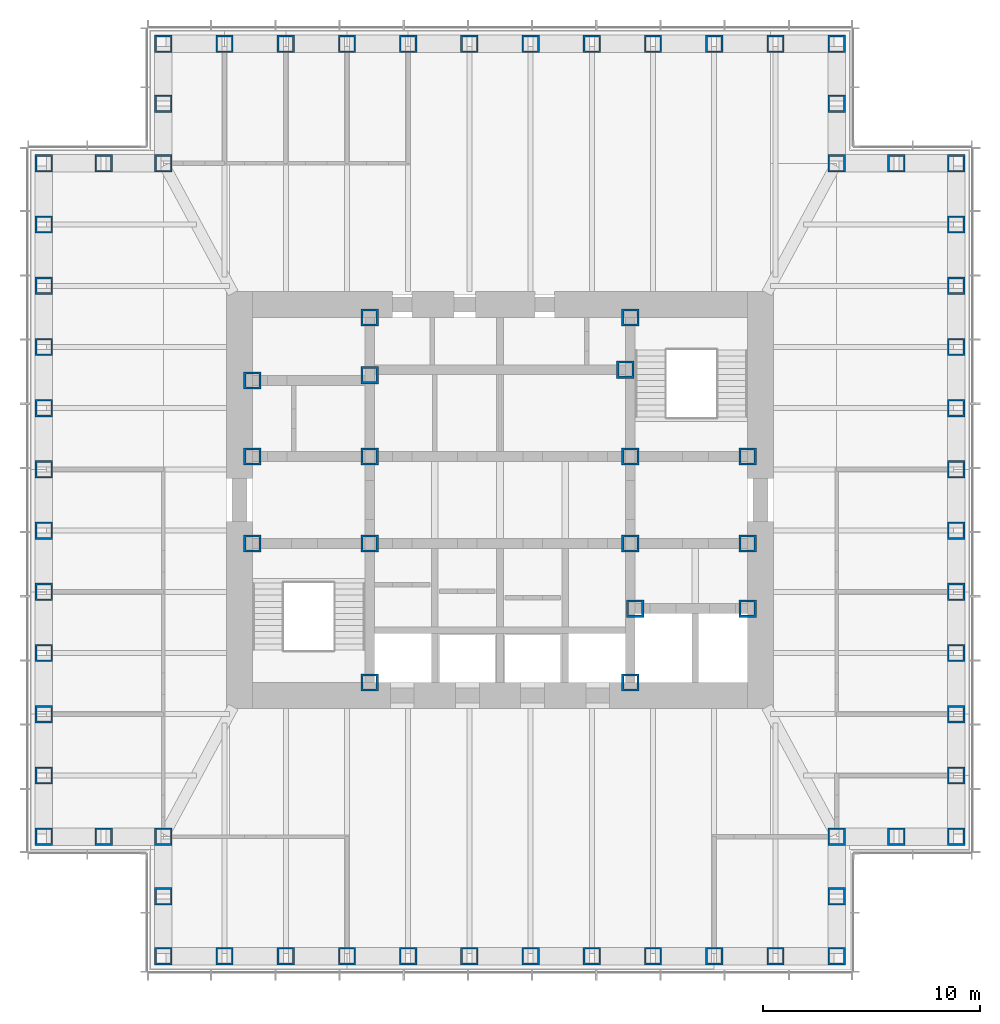
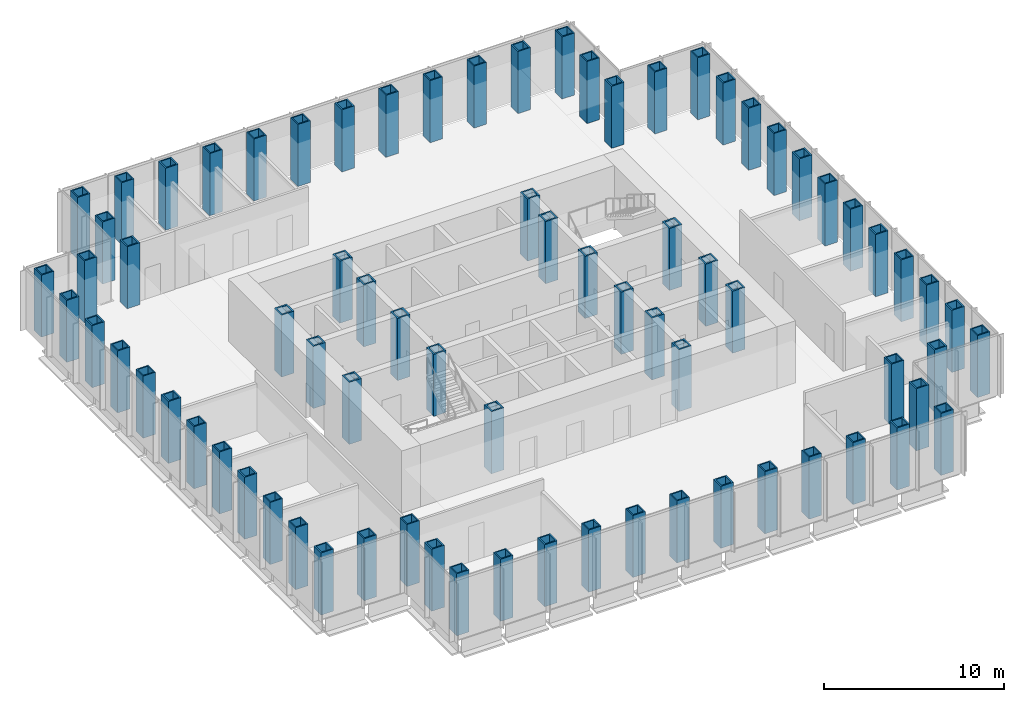
# One storey, part 1 of 16: 77 columns.
"""IFC4 building model written with IfcOpenShell, lengths in metres."""

from ifc_helpers import new_model, si_unit, direction, frame, origin, origin_2d, place, context, subcontext, project, spatial, hollow_rectangle, extrude, material, material_profile, profile_set, type_object, element, save


model = new_model("IFC4")

# Units and contexts
model_context = context("Model", 3, precision=1e-05, world=origin(), true_north=direction((0.0, 1.0)))
body_context = subcontext(model_context, "Body", "Model", "MODEL_VIEW")
ifc_project = project(units=[si_unit("LENGTHUNIT", "METRE"), si_unit("AREAUNIT", "SQUARE_METRE"), si_unit("VOLUMEUNIT", "CUBIC_METRE"), si_unit("PLANEANGLEUNIT", "RADIAN"), si_unit("MASSUNIT", "GRAM", prefix="KILO")], contexts=[model_context])

# Site, building, storey
site_placement = place(None, origin())
site = spatial("IfcSite", under=ifc_project, at=site_placement, CompositionType="ELEMENT")
building_placement = place(site_placement, origin())
building = spatial("IfcBuilding", under=site, at=building_placement, Name="Daluyong Arena Tower", CompositionType="ELEMENT")
storey_placement = place(building_placement, frame((0.0, 0.0, 240.10009765625)))
storey = spatial("IfcBuildingStorey", under=building, at=storey_placement, Name="L54", CompositionType="ELEMENT", Elevation=240.10009765625)

# Columns
ifc_material_1 = material(Name="Steel ASTM A572 Grade 50", Category="steel")
ifc_material_profile_1 = material_profile(ifc_material_1, hollow_rectangle(XDim=0.800048828125, YDim=0.800048828125, WallThickness=0.1, at=origin_2d()))
ifc_profile_set_1 = profile_set([ifc_material_profile_1], Name="Steel ASTM A572 Grade 50")
column_type_1 = type_object("IfcColumnType", Name="Core boundary column BX800X100", PredefinedType="COLUMN", material=ifc_profile_set_1)
for number, where, z_axis, x_axis, name in (
    (1, (44.60009765625, 78.0, 0.0), (0.0, 0.0, 1.0), (1.0, 0.0, 0.0), "core boundary column BC2"),
    (2, (44.60009765625, 82.0, 0.0), (0.0, 0.0, 1.0), (1.0, 0.0, 0.0), "core boundary column BC2"),
    (3, (44.60009765625, 85.5, 0.0), (0.0, 0.0, 1.0), (1.0, 0.0, 0.0), "core boundary column BC2"),
    (4, (50.0, 71.60009765625, 0.0), (0.0, 0.0, 1.0), (1.0, 0.0, 0.0), "core boundary column BC2"),
    (5, (50.0, 78.0, 0.0), (0.0, 0.0, 1.0), (1.0, 0.0, 0.0), "core boundary column BC2"),
    (6, (50.0, 82.0, 0.0), (0.0, 0.0, 1.0), (1.0, 0.0, 0.0), "core boundary column BC2"),
    (7, (50.0, 85.75, 0.0), (0.0, 0.0, 1.0), (1.0, 0.0, 0.0), "core boundary column BC2"),
    (8, (50.0, 88.39990234375, 0.0), (0.0, 0.0, 1.0), (1.0, 0.0, 0.0), "core boundary column BC2"),
    (9, (61.77490234375, 86.0, 0.0), (0.0, 0.0, 1.0), (1.0, 0.0, 0.0), "core boundary column BC2"),
    (10, (62.0, 71.60009765625, 0.0), (0.0, 0.0, 1.0), (1.0, 0.0, 0.0), "core boundary column BC2"),
    (11, (62.0, 78.0, 0.0), (0.0, 0.0, 1.0), (1.0, 0.0, 0.0), "core boundary column BC2"),
    (12, (62.0, 82.0, 0.0), (0.0, 0.0, 1.0), (1.0, 0.0, 0.0), "core boundary column BC2"),
    (13, (62.0, 88.39990234375, 0.0), (0.0, 0.0, 1.0), (1.0, 0.0, 0.0), "core boundary column BC2"),
    (14, (62.22509765625, 75.0, 0.0), (0.0, 0.0, 1.0), (1.0, 0.0, 0.0), "core boundary column BC2"),
    (15, (67.39990234375, 75.0, 0.0), (0.0, 0.0, 1.0), (1.0, 0.0, 0.0), "core boundary column BC2"),
    (16, (67.39990234375, 78.0, 0.0), (0.0, 0.0, 1.0), (1.0, 0.0, 0.0), "core boundary column BC2"),
    (17, (67.39990234375, 82.0, 0.0), (0.0, 0.0, 1.0), (1.0, 0.0, 0.0), "core boundary column BC2"),
):
    element("IfcColumn", number, at=place(storey_placement, frame(where, z_axis=z_axis, x_axis=x_axis)), inside=storey, type_object=column_type_1, Name=name, PredefinedType="COLUMN", context=body_context, shape_type="SweptSolid", body=[
        extrude(hollow_rectangle(XDim=0.800048828125, YDim=0.800048828125, WallThickness=0.1, at=origin_2d()), origin(), (0.0, 0.0, 1.0), 4.199951171875),
    ])
ifc_material_2 = material(Name="Steel ASTM A572 Grade 50", Category="steel")
ifc_material_profile_2 = material_profile(ifc_material_2, hollow_rectangle(XDim=0.800048828125, YDim=0.800048828125, WallThickness=0.08, at=origin_2d()))
ifc_profile_set_2 = profile_set([ifc_material_profile_2], Name="Steel ASTM A572 Grade 50")
column_type_2 = type_object("IfcColumnType", Name="Tube column BX800X80 BX800X80", PredefinedType="COLUMN", material=ifc_profile_set_2)
for number, where, z_axis, x_axis, name in (
    (18, (40.5, 59.0, 0.0), (0.0, 0.0, 1.0), (1.0, 0.0, 0.0), "tube column bx800x80 TC6"),
    (19, (43.318115234375, 59.0, 0.0), (0.0, 0.0, 1.0), (1.0, 0.0, 0.0), "tube column bx800x80 TC6"),
    (20, (46.136474609375, 59.0, 0.0), (0.0, 0.0, 1.0), (1.0, 0.0, 0.0), "tube column bx800x80 TC6"),
    (21, (48.95458984375, 59.0, 0.0), (0.0, 0.0, 1.0), (1.0, 0.0, 0.0), "tube column bx800x80 TC6"),
    (22, (51.772705078125, 59.0, 0.0), (0.0, 0.0, 1.0), (1.0, 0.0, 0.0), "tube column bx800x80 TC6"),
    (23, (54.5908203125, 59.0, 0.0), (0.0, 0.0, 1.0), (1.0, 0.0, 0.0), "tube column bx800x80 TC6"),
    (24, (57.4091796875, 59.0, 0.0), (0.0, 0.0, 1.0), (1.0, 0.0, 0.0), "tube column bx800x80 TC6"),
    (25, (60.227294921875, 59.0, 0.0), (0.0, 0.0, 1.0), (1.0, 0.0, 0.0), "tube column bx800x80 TC6"),
    (26, (63.04541015625, 59.0, 0.0), (0.0, 0.0, 1.0), (1.0, 0.0, 0.0), "tube column bx800x80 TC6"),
    (27, (65.863525390625, 59.0, 0.0), (0.0, 0.0, 1.0), (1.0, 0.0, 0.0), "tube column bx800x80 TC6"),
    (28, (68.681884765625, 59.0, 0.0), (0.0, 0.0, 1.0), (1.0, 0.0, 0.0), "tube column bx800x80 TC6"),
    (29, (71.5, 59.0, 0.0), (0.0, 0.0, 1.0), (0.0, 1.0, 0.0), "tube column bx800x80 TC6"),
    (30, (71.5, 61.75, 0.0), (0.0, 0.0, 1.0), (0.0, 1.0, 0.0), "tube column bx800x80 TC6"),
    (31, (71.5, 64.5, 0.0), (0.0, 0.0, 1.0), (1.0, 0.0, 0.0), "tube column bx800x80 TC6"),
    (32, (74.25, 64.5, 0.0), (0.0, 0.0, 1.0), (1.0, 0.0, 0.0), "tube column bx800x80 TC6"),
    (33, (77.0, 64.5, 0.0), (0.0, 0.0, 1.0), (0.0, 1.0, 0.0), "tube column bx800x80 TC6"),
    (34, (77.0, 67.318115234375, 0.0), (0.0, 0.0, 1.0), (0.0, 1.0, 0.0), "tube column bx800x80 TC6"),
    (35, (77.0, 70.136474609375, 0.0), (0.0, 0.0, 1.0), (0.0, 1.0, 0.0), "tube column bx800x80 TC6"),
    (36, (77.0, 72.95458984375, 0.0), (0.0, 0.0, 1.0), (0.0, 1.0, 0.0), "tube column bx800x80 TC6"),
    (37, (77.0, 75.772705078125, 0.0), (0.0, 0.0, 1.0), (0.0, 1.0, 0.0), "tube column bx800x80 TC6"),
    (38, (77.0, 78.5908203125, 0.0), (0.0, 0.0, 1.0), (0.0, 1.0, 0.0), "tube column bx800x80 TC6"),
    (39, (77.0, 81.4091796875, 0.0), (0.0, 0.0, 1.0), (0.0, 1.0, 0.0), "tube column bx800x80 TC6"),
    (40, (77.0, 84.227294921875, 0.0), (0.0, 0.0, 1.0), (0.0, 1.0, 0.0), "tube column bx800x80 TC6"),
    (41, (77.0, 87.04541015625, 0.0), (0.0, 0.0, 1.0), (0.0, 1.0, 0.0), "tube column bx800x80 TC6"),
    (42, (77.0, 89.863525390625, 0.0), (0.0, 0.0, 1.0), (0.0, 1.0, 0.0), "tube column bx800x80 TC6"),
    (43, (77.0, 92.681884765625, 0.0), (0.0, 0.0, 1.0), (0.0, 1.0, 0.0), "tube column bx800x80 TC6"),
    (44, (77.0, 95.5, 0.0), (0.0, 0.0, 1.0), (1.0, 0.0, 0.0), "tube column bx800x80 TC6"),
    (45, (74.25, 95.5, 0.0), (0.0, 0.0, 1.0), (1.0, 0.0, 0.0), "tube column bx800x80 TC6"),
    (46, (71.5, 95.5, 0.0), (0.0, 0.0, 1.0), (0.0, 1.0, 0.0), "tube column bx800x80 TC6"),
    (47, (71.5, 98.25, 0.0), (0.0, 0.0, 1.0), (0.0, 1.0, 0.0), "tube column bx800x80 TC6"),
    (48, (71.5, 101.0, 0.0), (0.0, 0.0, 1.0), (1.0, 0.0, 0.0), "tube column bx800x80 TC6"),
    (49, (68.681884765625, 101.0, 0.0), (0.0, 0.0, 1.0), (1.0, 0.0, 0.0), "tube column bx800x80 TC6"),
    (50, (65.863525390625, 101.0, 0.0), (0.0, 0.0, 1.0), (1.0, 0.0, 0.0), "tube column bx800x80 TC6"),
    (51, (63.04541015625, 101.0, 0.0), (0.0, 0.0, 1.0), (1.0, 0.0, 0.0), "tube column bx800x80 TC6"),
    (52, (60.227294921875, 101.0, 0.0), (0.0, 0.0, 1.0), (1.0, 0.0, 0.0), "tube column bx800x80 TC6"),
    (53, (57.4091796875, 101.0, 0.0), (0.0, 0.0, 1.0), (1.0, 0.0, 0.0), "tube column bx800x80 TC6"),
    (54, (54.5908203125, 101.0, 0.0), (0.0, 0.0, 1.0), (1.0, 0.0, 0.0), "tube column bx800x80 TC6"),
    (55, (51.772705078125, 101.0, 0.0), (0.0, 0.0, 1.0), (1.0, 0.0, 0.0), "tube column bx800x80 TC6"),
    (56, (48.95458984375, 101.0, 0.0), (0.0, 0.0, 1.0), (1.0, 0.0, 0.0), "tube column bx800x80 TC6"),
    (57, (46.136474609375, 101.0, 0.0), (0.0, 0.0, 1.0), (1.0, 0.0, 0.0), "tube column bx800x80 TC6"),
    (58, (43.318115234375, 101.0, 0.0), (0.0, 0.0, 1.0), (1.0, 0.0, 0.0), "tube column bx800x80 TC6"),
    (59, (40.5, 101.0, 0.0), (0.0, 0.0, 1.0), (0.0, 1.0, 0.0), "tube column bx800x80 TC6"),
    (60, (40.5, 98.25, 0.0), (0.0, 0.0, 1.0), (0.0, 1.0, 0.0), "tube column bx800x80 TC6"),
    (61, (40.5, 95.5, 0.0), (0.0, 0.0, 1.0), (1.0, 0.0, 0.0), "tube column bx800x80 TC6"),
    (62, (37.75, 95.5, 0.0), (0.0, 0.0, 1.0), (1.0, 0.0, 0.0), "tube column bx800x80 TC6"),
    (63, (35.0, 95.5, 0.0), (0.0, 0.0, 1.0), (0.0, 1.0, 0.0), "tube column bx800x80 TC6"),
    (64, (35.0, 92.681884765625, 0.0), (0.0, 0.0, 1.0), (0.0, 1.0, 0.0), "tube column bx800x80 TC6"),
    (65, (35.0, 89.863525390625, 0.0), (0.0, 0.0, 1.0), (0.0, 1.0, 0.0), "tube column bx800x80 TC6"),
    (66, (35.0, 87.04541015625, 0.0), (0.0, 0.0, 1.0), (0.0, 1.0, 0.0), "tube column bx800x80 TC6"),
    (67, (35.0, 84.227294921875, 0.0), (0.0, 0.0, 1.0), (0.0, 1.0, 0.0), "tube column bx800x80 TC6"),
    (68, (35.0, 81.4091796875, 0.0), (0.0, 0.0, 1.0), (0.0, 1.0, 0.0), "tube column bx800x80 TC6"),
    (69, (35.0, 78.5908203125, 0.0), (0.0, 0.0, 1.0), (0.0, 1.0, 0.0), "tube column bx800x80 TC6"),
    (70, (35.0, 75.772705078125, 0.0), (0.0, 0.0, 1.0), (0.0, 1.0, 0.0), "tube column bx800x80 TC6"),
    (71, (35.0, 72.95458984375, 0.0), (0.0, 0.0, 1.0), (0.0, 1.0, 0.0), "tube column bx800x80 TC6"),
    (72, (35.0, 70.136474609375, 0.0), (0.0, 0.0, 1.0), (0.0, 1.0, 0.0), "tube column bx800x80 TC6"),
    (73, (35.0, 67.318115234375, 0.0), (0.0, 0.0, 1.0), (0.0, 1.0, 0.0), "tube column bx800x80 TC6"),
    (74, (35.0, 64.5, 0.0), (0.0, 0.0, 1.0), (1.0, 0.0, 0.0), "tube column bx800x80 TC6"),
    (75, (37.75, 64.5, 0.0), (0.0, 0.0, 1.0), (1.0, 0.0, 0.0), "tube column bx800x80 TC6"),
    (76, (40.5, 64.5, 0.0), (0.0, 0.0, 1.0), (0.0, 1.0, 0.0), "tube column bx800x80 TC6"),
    (77, (40.5, 61.75, 0.0), (0.0, 0.0, 1.0), (0.0, 1.0, 0.0), "tube column bx800x80 TC6"),
):
    element("IfcColumn", number, at=place(storey_placement, frame(where, z_axis=z_axis, x_axis=x_axis)), inside=storey, type_object=column_type_2, Name=name, PredefinedType="COLUMN", context=body_context, shape_type="SweptSolid", body=[
        extrude(hollow_rectangle(XDim=0.800048828125, YDim=0.800048828125, WallThickness=0.08, at=origin_2d()), origin(), (0.0, 0.0, 1.0), 4.199951171875),
    ])

save(model, "model.ifc")
